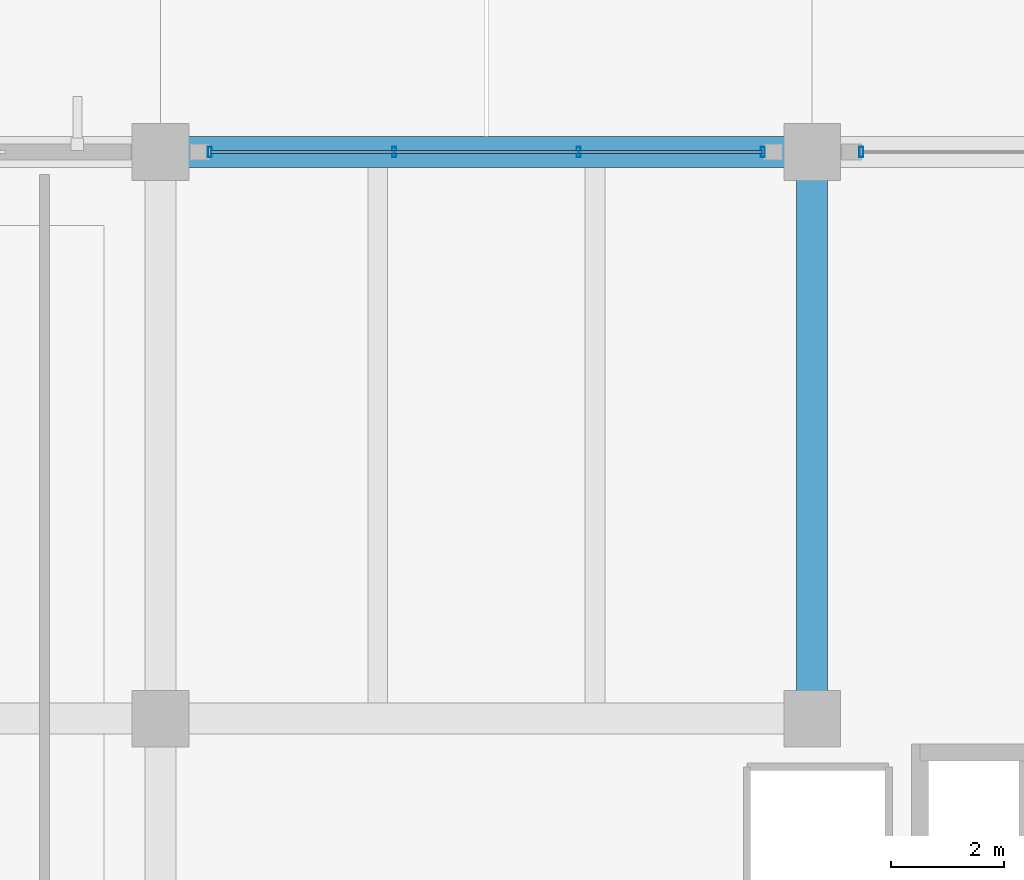
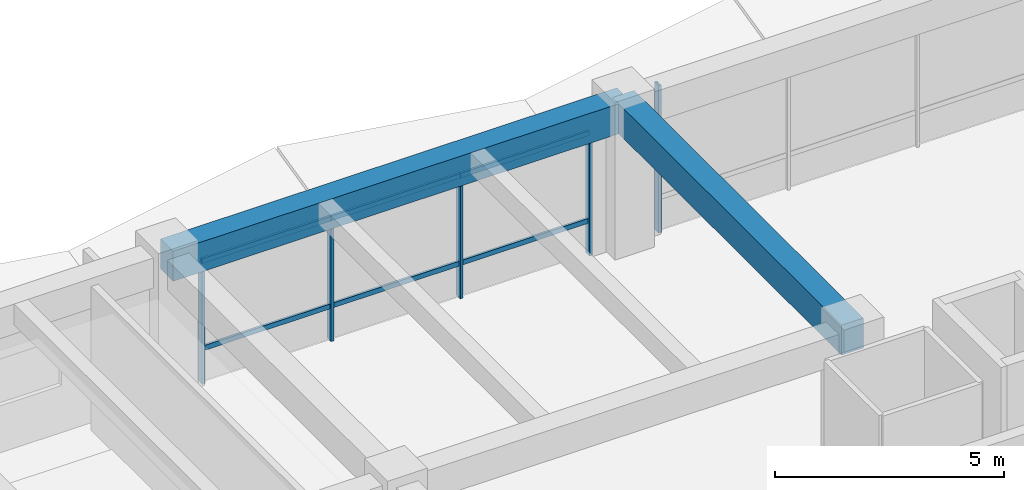
# One storey, part 59 of 98: 11 members, 2 beams, 2 elements without a shape of their own.
"""IFC4 building model written with IfcOpenShell, lengths in metres."""

from ifc_helpers import new_model, si_unit, direction, frame, origin, origin_2d, place, context, subcontext, project, spatial, rectangle, hollow_rectangle, extrude, material, material_profile, profile_set, type_object, element, aggregate, save


model = new_model("IFC4")

# Units and contexts
model_context = context("Model", 3, precision=1e-05, world=origin(), true_north=direction((0.0, 1.0)))
body_context = subcontext(model_context, "Body", "Model", "MODEL_VIEW")
ifc_project = project(units=[si_unit("LENGTHUNIT", "METRE"), si_unit("AREAUNIT", "SQUARE_METRE"), si_unit("VOLUMEUNIT", "CUBIC_METRE"), si_unit("PLANEANGLEUNIT", "RADIAN"), si_unit("MASSUNIT", "GRAM", prefix="KILO")], contexts=[model_context])

# Site, building, storey
site_placement = place(None, origin())
site = spatial("IfcSite", under=ifc_project, at=site_placement, CompositionType="ELEMENT")
building_placement = place(site_placement, origin())
building = spatial("IfcBuilding", under=site, at=building_placement, Name="Ologun Quay Terminus", CompositionType="ELEMENT")
storey_placement = place(building_placement, frame((0.0, 0.0, 4.199951171875)))
storey = spatial("IfcBuildingStorey", under=building, at=storey_placement, Name="L01", CompositionType="ELEMENT", Elevation=4.199951171875)

# Beams
ifc_material_1 = material(Name="Concrete C40/50", Category="concrete")
ifc_material_profile_1 = material_profile(ifc_material_1, rectangle(XDim=0.550048828125, YDim=0.800048828125, at=origin_2d()), Name="RC 550x800")
ifc_profile_set_1 = profile_set([ifc_material_profile_1], Name="Concrete C40/50")
beam_type = type_object("IfcBeamType", Name="Courtyard Wing Primary Girder 550x800", PredefinedType="BEAM", material=ifc_profile_set_1)
beam_1_placement = place(storey_placement, frame((126.5, 114.800048828125, 3.550048828125), z_axis=(1.0, 0.0, 0.0), x_axis=(0.0, 1.0, 0.0)))
element("IfcBeam", 1, at=beam_1_placement, inside=storey, type_object=beam_type, Name="B4 Beam 12/K L01", PredefinedType="BEAM", context=body_context, shape_type="SweptSolid", body=[
    extrude(rectangle(XDim=0.550048828125, YDim=0.800048828125, at=origin_2d()), origin(), (0.0, 0.0, 1.0), 11.5),
])
beam_2_placement = place(storey_placement, frame((138.0, 104.800048828125, 3.550048828125), z_axis=(0.0, 1.0, 0.0), x_axis=(-1.0, 0.0, 0.0)))
element("IfcBeam", 2, at=beam_2_placement, inside=storey, type_object=beam_type, Name="B4 Beam 13/J L01", PredefinedType="BEAM", context=body_context, shape_type="SweptSolid", body=[
    extrude(rectangle(XDim=0.550048828125, YDim=0.800048828125, at=origin_2d()), origin(), (0.0, 0.0, 1.0), 10.0),
])

# Curtain wall, members
ifc_material_2 = material(Name="Aluminium 6063-T6", Category="aluminium")
curtain_wall_type = type_object("IfcCurtainWallType", Name="Waterfront Pavilion Harbour Curtain Wall L01 10500x3850", PredefinedType="USERDEFINED", material=ifc_material_2)
curtain_wall_1_placement = place(storey_placement, origin())
curtain_wall_1 = element("IfcCurtainWall", 3, at=curtain_wall_1_placement, inside=storey, type_object=curtain_wall_type, Name="CW-23 Curtain Wall CW-L01-126", ObjectType="UNITISED CURTAIN WALL", PredefinedType="USERDEFINED")
ifc_material_3 = material(Name="Aluminium 6063-T6", Category="aluminium")
ifc_material_profile_2 = material_profile(ifc_material_3, hollow_rectangle(XDim=0.070068359375, YDim=0.179931640625, WallThickness=0.0048828125, at=origin_2d()), Name="ALU 180x70x5")
ifc_profile_set_2 = profile_set([ifc_material_profile_2], Name="Aluminium 6063-T6")
member_type_1 = type_object("IfcMemberType", Name="Curtain Wall Heavy Mullion 180x70", PredefinedType="MULLION", material=ifc_profile_set_2)
member_1_placement = place(storey_placement, frame((127.3701171875, 114.800048828125, 0.0), z_axis=(0.0, 0.0, 1.0), x_axis=(1.0, 0.0, 0.0)))
member_1 = element("IfcMember", 4, at=member_1_placement, type_object=member_type_1, Name="CW-L01-126 Mullion 1", PredefinedType="MULLION", context=body_context, shape_type="SweptSolid", body=[
    extrude(hollow_rectangle(XDim=0.070068359375, YDim=0.179931640625, WallThickness=0.0048828125, at=origin_2d()), origin(), (0.0, 0.0, 1.0), 3.929931640625),
])
member_2_placement = place(storey_placement, frame((130.623291015625, 114.800048828125, 0.0), z_axis=(0.0, 0.0, 1.0), x_axis=(1.0, 0.0, 0.0)))
member_2 = element("IfcMember", 5, at=member_2_placement, type_object=member_type_1, Name="CW-L01-126 Mullion 2", PredefinedType="MULLION", context=body_context, shape_type="SweptSolid", body=[
    extrude(hollow_rectangle(XDim=0.070068359375, YDim=0.179931640625, WallThickness=0.0048828125, at=origin_2d()), origin(), (0.0, 0.0, 1.0), 3.929931640625),
])
member_3_placement = place(storey_placement, frame((133.876708984375, 114.800048828125, 0.0), z_axis=(0.0, 0.0, 1.0), x_axis=(1.0, 0.0, 0.0)))
member_3 = element("IfcMember", 6, at=member_3_placement, type_object=member_type_1, Name="CW-L01-126 Mullion 3", PredefinedType="MULLION", context=body_context, shape_type="SweptSolid", body=[
    extrude(hollow_rectangle(XDim=0.070068359375, YDim=0.179931640625, WallThickness=0.0048828125, at=origin_2d()), origin(), (0.0, 0.0, 1.0), 3.929931640625),
])
member_4_placement = place(storey_placement, frame((137.1298828125, 114.800048828125, 0.0), z_axis=(0.0, 0.0, 1.0), x_axis=(1.0, 0.0, 0.0)))
member_4 = element("IfcMember", 7, at=member_4_placement, type_object=member_type_1, Name="CW-L01-126 Mullion 4", PredefinedType="MULLION", context=body_context, shape_type="SweptSolid", body=[
    extrude(hollow_rectangle(XDim=0.070068359375, YDim=0.179931640625, WallThickness=0.0048828125, at=origin_2d()), origin(), (0.0, 0.0, 1.0), 3.929931640625),
])

# Curtain wall, member
curtain_wall_2_placement = place(storey_placement, origin())
curtain_wall_2 = element("IfcCurtainWall", 8, at=curtain_wall_2_placement, inside=storey, type_object=curtain_wall_type, Name="CW-23 Curtain Wall CW-L01-127", ObjectType="UNITISED CURTAIN WALL", PredefinedType="USERDEFINED")
member_5_placement = place(storey_placement, frame((138.8701171875, 114.800048828125, 0.0), z_axis=(0.0, 0.0, 1.0), x_axis=(1.0, 0.0, 0.0)))
member_5 = element("IfcMember", 9, at=member_5_placement, type_object=member_type_1, Name="CW-L01-127 Mullion 1", PredefinedType="MULLION", context=body_context, shape_type="SweptSolid", body=[
    extrude(hollow_rectangle(XDim=0.070068359375, YDim=0.179931640625, WallThickness=0.0048828125, at=origin_2d()), origin(), (0.0, 0.0, 1.0), 3.929931640625),
])
aggregate(curtain_wall_2, [member_5])

# Member
ifc_material_4 = material(Name="Aluminium 6063-T6", Category="aluminium")
ifc_material_profile_3 = material_profile(ifc_material_4, hollow_rectangle(XDim=0.06005859375, YDim=0.1298828125, WallThickness=0.00390625, at=origin_2d()), Name="ALU 130x60x4")
ifc_profile_set_3 = profile_set([ifc_material_profile_3], Name="Aluminium 6063-T6")
member_type_2 = type_object("IfcMemberType", Name="Curtain Wall Heavy Transom 130x60", PredefinedType="USERDEFINED", material=ifc_profile_set_3)
member_6_placement = place(storey_placement, frame((127.3701171875, 114.800048828125, 0.900146484375), z_axis=(1.0, 0.0, 0.0), x_axis=(0.0, 1.0, 0.0)))
member_6 = element("IfcMember", 10, at=member_6_placement, type_object=member_type_2, Name="CW-L01-126 Transom B1-1", ObjectType="TRANSOM", PredefinedType="USERDEFINED", context=body_context, shape_type="SweptSolid", body=[
    extrude(hollow_rectangle(XDim=0.06005859375, YDim=0.1298828125, WallThickness=0.00390625, at=origin_2d()), origin(), (0.0, 0.0, 1.0), 3.253173828125),
])

member_7_placement = place(storey_placement, frame((127.3701171875, 114.800048828125, 3.22998046875), z_axis=(1.0, 0.0, 0.0), x_axis=(0.0, 1.0, 0.0)))
member_7 = element("IfcMember", 11, at=member_7_placement, type_object=member_type_2, Name="CW-L01-126 Transom B1-2", ObjectType="TRANSOM", PredefinedType="USERDEFINED", context=body_context, shape_type="SweptSolid", body=[
    extrude(hollow_rectangle(XDim=0.06005859375, YDim=0.1298828125, WallThickness=0.00390625, at=origin_2d()), origin(), (0.0, 0.0, 1.0), 3.253173828125),
])

member_8_placement = place(storey_placement, frame((130.623291015625, 114.800048828125, 0.900146484375), z_axis=(1.0, 0.0, 0.0), x_axis=(0.0, 1.0, 0.0)))
member_8 = element("IfcMember", 12, at=member_8_placement, type_object=member_type_2, Name="CW-L01-126 Transom B2-1", ObjectType="TRANSOM", PredefinedType="USERDEFINED", context=body_context, shape_type="SweptSolid", body=[
    extrude(hollow_rectangle(XDim=0.06005859375, YDim=0.1298828125, WallThickness=0.00390625, at=origin_2d()), origin(), (0.0, 0.0, 1.0), 3.25341796875),
])

member_9_placement = place(storey_placement, frame((130.623291015625, 114.800048828125, 3.22998046875), z_axis=(1.0, 0.0, 0.0), x_axis=(0.0, 1.0, 0.0)))
member_9 = element("IfcMember", 13, at=member_9_placement, type_object=member_type_2, Name="CW-L01-126 Transom B2-2", ObjectType="TRANSOM", PredefinedType="USERDEFINED", context=body_context, shape_type="SweptSolid", body=[
    extrude(hollow_rectangle(XDim=0.06005859375, YDim=0.1298828125, WallThickness=0.00390625, at=origin_2d()), origin(), (0.0, 0.0, 1.0), 3.25341796875),
])

member_10_placement = place(storey_placement, frame((133.876708984375, 114.800048828125, 0.900146484375), z_axis=(1.0, 0.0, 0.0), x_axis=(0.0, 1.0, 0.0)))
member_10 = element("IfcMember", 14, at=member_10_placement, type_object=member_type_2, Name="CW-L01-126 Transom B3-1", ObjectType="TRANSOM", PredefinedType="USERDEFINED", context=body_context, shape_type="SweptSolid", body=[
    extrude(hollow_rectangle(XDim=0.06005859375, YDim=0.1298828125, WallThickness=0.00390625, at=origin_2d()), origin(), (0.0, 0.0, 1.0), 3.253173828125),
])

member_11_placement = place(storey_placement, frame((133.876708984375, 114.800048828125, 3.22998046875), z_axis=(1.0, 0.0, 0.0), x_axis=(0.0, 1.0, 0.0)))
member_11 = element("IfcMember", 15, at=member_11_placement, type_object=member_type_2, Name="CW-L01-126 Transom B3-2", ObjectType="TRANSOM", PredefinedType="USERDEFINED", context=body_context, shape_type="SweptSolid", body=[
    extrude(hollow_rectangle(XDim=0.06005859375, YDim=0.1298828125, WallThickness=0.00390625, at=origin_2d()), origin(), (0.0, 0.0, 1.0), 3.253173828125),
])

aggregate(curtain_wall_1, [member_1, member_2, member_3, member_4, member_6, member_7, member_8, member_9, member_10, member_11])

save(model, "model.ifc")
